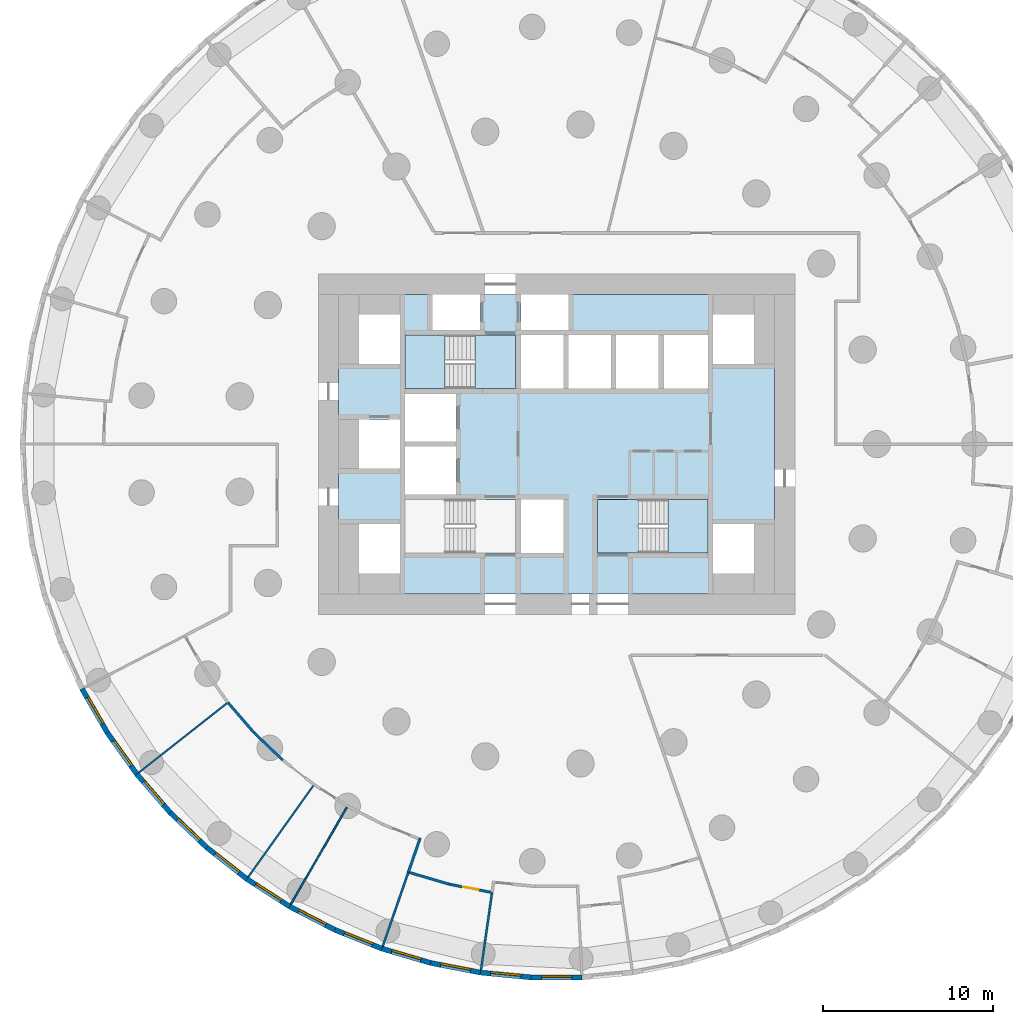
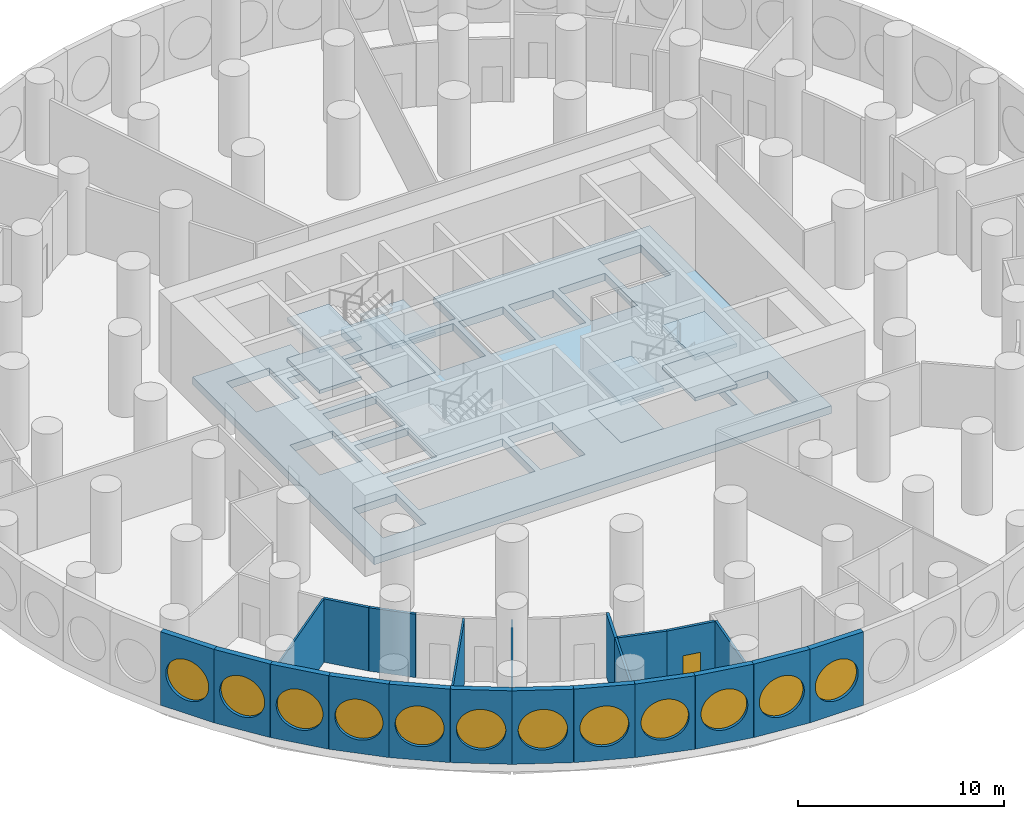
# One storey, part 2 of 12: 22 walls, 12 windows, 9 slabs, 1 door, 13 openings, 2 elements without a shape of their own.
"""IFC4 building model written with IfcOpenShell, lengths in metres."""

from ifc_helpers import new_model, si_unit, direction, frame, frame_2d, origin, origin_2d, place, context, subcontext, project, spatial, polyline, rectangle, circle, outline, extrude, material, layer, layer_set, type_object, element, fill, aggregate, save


model = new_model("IFC4")

# Units and contexts
model_context = context("Model", 3, precision=1e-05, world=origin(), true_north=direction((0.0, 1.0)))
body_context = subcontext(model_context, "Body", "Model", "MODEL_VIEW")
ifc_project = project(units=[si_unit("LENGTHUNIT", "METRE"), si_unit("AREAUNIT", "SQUARE_METRE"), si_unit("VOLUMEUNIT", "CUBIC_METRE"), si_unit("PLANEANGLEUNIT", "RADIAN"), si_unit("MASSUNIT", "GRAM", prefix="KILO")], contexts=[model_context])

# Site, building, storey
site_placement = place(None, origin())
site = spatial("IfcSite", under=ifc_project, at=site_placement, CompositionType="ELEMENT")
building_placement = place(site_placement, origin())
building = spatial("IfcBuilding", under=site, at=building_placement, Name="Tracery Tower", CompositionType="ELEMENT")
storey_placement = place(building_placement, frame((0.0, 0.0, 13.800048828125)))
storey = spatial("IfcBuildingStorey", under=building, at=storey_placement, Name="L02", CompositionType="ELEMENT", Elevation=13.800048828125)

# Slabs
ifc_material_1 = material(Name="Concrete C60/75", Category="concrete")
ifc_layer_1 = layer(ifc_material_1, 0.449951171875)
ifc_layer_set_1 = layer_set([ifc_layer_1], Name="Core floor slab 450 C60")
slab_type_1 = type_object("IfcSlabType", Name="Core floor slab 450 C60", PredefinedType="FLOOR", material=ifc_layer_set_1)
slab_1_placement = place(storey_placement, frame((0.0, 0.0, -0.449951171875)))
element("IfcSlab", 1, at=slab_1_placement, inside=storey, type_object=slab_type_1, Name="L02 core floor 1", PredefinedType="FLOOR", context=body_context, shape_type="SweptSolid", body=[
    extrude(outline(polyline([(-12.800048828125, 8.800048828125), (-7.300048828125, 8.800048828125), (-7.300048828125, 6.699951171875), (-4.5, 6.699951171875), (-4.5, 8.800048828125), (-2.10009765625, 8.800048828125), (-2.10009765625, 6.699951171875), (0.699951171875, 6.699951171875), (0.699951171875, 8.800048828125), (12.800048828125, 8.800048828125), (12.800048828125, -8.800048828125), (-12.800048828125, -8.800048828125), (-12.800048828125, 8.800048828125)]), holes=[polyline([(11.60009765625, -7.60009765625), (11.60009765625, -4.699951171875), (9.199951171875, -4.699951171875), (9.199951171875, -7.60009765625), (11.60009765625, -7.60009765625)]), polyline([(11.60009765625, 4.699951171875), (11.60009765625, 7.60009765625), (9.199951171875, 7.60009765625), (9.199951171875, 4.699951171875), (11.60009765625, 4.699951171875)]), polyline([(2.39990234375, -6.39990234375), (8.89990234375, -6.39990234375), (8.89990234375, -3.25), (2.39990234375, -3.25), (2.39990234375, -6.39990234375)]), polyline([(6.300048828125, 3.25), (8.89990234375, 3.25), (8.89990234375, 6.39990234375), (6.300048828125, 6.39990234375), (6.300048828125, 3.25)]), polyline([(3.5, 3.25), (6.0, 3.25), (6.0, 6.39990234375), (3.5, 6.39990234375), (3.5, 3.25)]), polyline([(3.199951171875, 3.25), (3.199951171875, 6.39990234375), (0.699951171875, 6.39990234375), (0.699951171875, 3.25), (3.199951171875, 3.25)]), polyline([(-2.10009765625, 3.25), (0.39990234375, 3.25), (0.39990234375, 6.39990234375), (-2.10009765625, 6.39990234375), (-2.10009765625, 3.25)]), polyline([(0.39990234375, -6.39990234375), (0.39990234375, -3.25), (-2.10009765625, -3.25), (-2.10009765625, -6.39990234375), (0.39990234375, -6.39990234375)]), polyline([(-2.39990234375, -6.39990234375), (-2.39990234375, -3.25), (-8.89990234375, -3.25), (-8.89990234375, -6.39990234375), (-2.39990234375, -6.39990234375)]), polyline([(-2.39990234375, 3.25), (-2.39990234375, 6.39990234375), (-8.89990234375, 6.39990234375), (-8.89990234375, 3.25), (-2.39990234375, 3.25)]), polyline([(-8.89990234375, -2.949951171875), (-5.89990234375, -2.949951171875), (-5.89990234375, -0.14990234375), (-8.89990234375, -0.14990234375), (-8.89990234375, -2.949951171875)]), polyline([(-5.89990234375, 0.14990234375), (-5.89990234375, 2.949951171875), (-8.89990234375, 2.949951171875), (-8.89990234375, 0.14990234375), (-5.89990234375, 0.14990234375)]), polyline([(-11.60009765625, 4.699951171875), (-9.199951171875, 4.699951171875), (-9.199951171875, 7.60009765625), (-11.60009765625, 7.60009765625), (-11.60009765625, 4.699951171875)]), polyline([(-9.199951171875, -7.60009765625), (-9.199951171875, -4.699951171875), (-11.60009765625, -4.699951171875), (-11.60009765625, -7.60009765625), (-9.199951171875, -7.60009765625)]), polyline([(-9.199951171875, -1.449951171875), (-9.199951171875, 1.449951171875), (-11.60009765625, 1.449951171875), (-11.60009765625, -1.449951171875), (-9.199951171875, -1.449951171875)])]), origin(), (0.0, 0.0, 1.0), 0.449951171875),
])
ifc_material_2 = material(Name="Concrete C32/40", Category="concrete")
ifc_layer_2 = layer(ifc_material_2, 0.199951171875)
ifc_layer_set_2 = layer_set([ifc_layer_2], Name="Stair landing slab 200")
slab_type_2 = type_object("IfcSlabType", Name="Stair landing slab 200", PredefinedType="LANDING", material=ifc_layer_set_2)
slab_2_placement = place(storey_placement, frame((0.0, 0.0, -0.199951171875)))
element("IfcSlab", 2, at=slab_2_placement, inside=storey, type_object=slab_type_2, Name="L02 stair ST3 floor landing", PredefinedType="LANDING", context=body_context, shape_type="SweptSolid", body=[
    extrude(outline(polyline([(-2.39990234375, 6.39990234375), (-4.800537109375, 6.39990234375), (-4.800537109375, 3.25), (-2.39990234375, 3.25), (-2.39990234375, 6.39990234375)])), origin(), (0.0, 0.0, 1.0), 0.199951171875),
])
slab_3_placement = place(storey_placement, frame((0.0, 0.0, -0.199951171875)))
element("IfcSlab", 3, at=slab_3_placement, inside=storey, type_object=slab_type_2, Name="L02 stair ST2 floor landing", PredefinedType="LANDING", context=body_context, shape_type="SweptSolid", body=[
    extrude(outline(polyline([(2.39990234375, -6.39990234375), (4.800537109375, -6.39990234375), (4.800537109375, -3.25), (2.39990234375, -3.25), (2.39990234375, -6.39990234375)])), origin(), (0.0, 0.0, 1.0), 0.199951171875),
])

# Stair, slabs
ifc_material_3 = material(Name="Concrete C32/40", Category="concrete")
stair_type = type_object("IfcStairType", Name="Core stair 32 risers", PredefinedType="HALF_TURN_STAIR", material=ifc_material_3)
stair_1_placement = place(storey_placement, origin())
stair_1 = element("IfcStair", 4, at=stair_1_placement, inside=storey, type_object=stair_type, Name="L02 stair ST3", PredefinedType="HALF_TURN_STAIR")
slab_4_placement = place(storey_placement, frame((0.0, 0.0, 1.0)))
slab_4 = element("IfcSlab", 5, at=slab_4_placement, type_object=slab_type_2, Name="ST3 landing 1", PredefinedType="LANDING", context=body_context, shape_type="SweptSolid", body=[
    extrude(outline(polyline([(-6.54931640625, 6.39990234375), (-8.89990234375, 6.39990234375), (-8.89990234375, 3.25), (-6.54931640625, 3.25), (-6.54931640625, 6.39990234375)])), origin(), (0.0, 0.0, 1.0), 0.199951171875),
])
slab_5_placement = place(storey_placement, frame((0.0, 0.0, 2.199951171875)))
slab_5 = element("IfcSlab", 6, at=slab_5_placement, type_object=slab_type_2, Name="ST3 landing 2", PredefinedType="LANDING", context=body_context, shape_type="SweptSolid", body=[
    extrude(outline(polyline([(-2.39990234375, 6.39990234375), (-4.800537109375, 6.39990234375), (-4.800537109375, 3.25), (-2.39990234375, 3.25), (-2.39990234375, 6.39990234375)])), origin(), (0.0, 0.0, 1.0), 0.199951171875),
])
slab_6_placement = place(storey_placement, frame((0.0, 0.0, 3.39990234375)))
slab_6 = element("IfcSlab", 7, at=slab_6_placement, type_object=slab_type_2, Name="ST3 landing 3", PredefinedType="LANDING", context=body_context, shape_type="SweptSolid", body=[
    extrude(outline(polyline([(-6.54931640625, 6.39990234375), (-8.89990234375, 6.39990234375), (-8.89990234375, 3.25), (-6.54931640625, 3.25), (-6.54931640625, 6.39990234375)])), origin(), (0.0, 0.0, 1.0), 0.199951171875),
])
aggregate(stair_1, [slab_4, slab_5, slab_6])

stair_2_placement = place(storey_placement, origin())
stair_2 = element("IfcStair", 8, at=stair_2_placement, inside=storey, type_object=stair_type, Name="L02 stair ST2", PredefinedType="HALF_TURN_STAIR")
slab_7_placement = place(storey_placement, frame((0.0, 0.0, 1.0)))
slab_7 = element("IfcSlab", 9, at=slab_7_placement, type_object=slab_type_2, Name="ST2 landing 1", PredefinedType="LANDING", context=body_context, shape_type="SweptSolid", body=[
    extrude(outline(polyline([(6.54931640625, -6.39990234375), (8.89990234375, -6.39990234375), (8.89990234375, -3.25), (6.54931640625, -3.25), (6.54931640625, -6.39990234375)])), origin(), (0.0, 0.0, 1.0), 0.199951171875),
])
slab_8_placement = place(storey_placement, frame((0.0, 0.0, 2.199951171875)))
slab_8 = element("IfcSlab", 10, at=slab_8_placement, type_object=slab_type_2, Name="ST2 landing 2", PredefinedType="LANDING", context=body_context, shape_type="SweptSolid", body=[
    extrude(outline(polyline([(2.39990234375, -6.39990234375), (4.800537109375, -6.39990234375), (4.800537109375, -3.25), (2.39990234375, -3.25), (2.39990234375, -6.39990234375)])), origin(), (0.0, 0.0, 1.0), 0.199951171875),
])
slab_9_placement = place(storey_placement, frame((0.0, 0.0, 3.39990234375)))
slab_9 = element("IfcSlab", 11, at=slab_9_placement, type_object=slab_type_2, Name="ST2 landing 3", PredefinedType="LANDING", context=body_context, shape_type="SweptSolid", body=[
    extrude(outline(polyline([(6.54931640625, -6.39990234375), (8.89990234375, -6.39990234375), (8.89990234375, -3.25), (6.54931640625, -3.25), (6.54931640625, -6.39990234375)])), origin(), (0.0, 0.0, 1.0), 0.199951171875),
])
aggregate(stair_2, [slab_7, slab_8, slab_9])

# Walls
ifc_material_4 = material(Name="Plasterboard on steel studs", Category="steel")
ifc_layer_3 = layer(ifc_material_4, 0.14990234375)
ifc_layer_set_3 = layer_set([ifc_layer_3], Name="Corridor partition 150")
wall_type_1 = type_object("IfcWallType", Name="Corridor partition 150", PredefinedType="PARTITIONING", material=ifc_layer_set_3)
for number, where, z_axis, x_axis, name in (
    (12, (-19.310791015625, -15.18603515625, 0.0), (0.0, 0.0, 1.0), (0.654866925236, -0.755744209526, 0.0), "Corridor partition 150"),
    (13, (-17.77978515625, -16.952880859375, 0.0), (0.0, 0.0, 1.0), (0.723668407542, -0.690147836283, 0.0), "Corridor partition 150"),
):
    element("IfcWall", number, at=place(storey_placement, frame(where, z_axis=z_axis, x_axis=x_axis)), inside=storey, type_object=wall_type_1, Name=name, PredefinedType="PARTITIONING", context=body_context, shape_type="SweptSolid", body=[
        extrude(rectangle(XDim=2.337890625, YDim=0.14990234375, at=frame_2d((1.1689453125, 0.0))), origin(), (0.0, 0.0, 1.0), 3.75),
    ])
wall_1_placement = place(storey_placement, frame((-8.706298828125, -25.155029296875, 0.0), z_axis=(0.0, 0.0, 1.0), x_axis=(0.327086912916, 0.944994259982, 0.0)))
element("IfcWall", 14, at=wall_1_placement, inside=storey, type_object=wall_type_1, Name="Corridor partition 150", PredefinedType="PARTITIONING", context=body_context, shape_type="SweptSolid", body=[
    extrude(rectangle(XDim=2.127197265625, YDim=0.14990234375, at=frame_2d((1.0634765625, 0.0))), origin(), (0.0, 0.0, 1.0), 3.75),
])
wall_2_placement = place(storey_placement, frame((-8.63427734375, -25.17626953125, 0.0), z_axis=(0.0, 0.0, 1.0), x_axis=(0.959512450636, -0.281666215713, 0.0)))
element("IfcWall", 15, at=wall_2_placement, inside=storey, type_object=wall_type_1, Name="Corridor partition 150", PredefinedType="PARTITIONING", context=body_context, shape_type="SweptSolid", body=[
    extrude(rectangle(XDim=2.458251953125, YDim=0.14990234375, at=frame_2d((1.22900390625, 0.0))), origin(), (0.0, 0.0, 1.0), 3.75),
])

# Wall, opening, door
wall_3_placement = place(storey_placement, frame((-3.862060546875, -26.333984375, 0.0), z_axis=(0.0, 0.0, 1.0), x_axis=(-0.981917073198, 0.189311545773, 0.0)))
wall_3 = element("IfcWall", 16, at=wall_3_placement, inside=storey, type_object=wall_type_1, Name="Corridor partition 150", PredefinedType="PARTITIONING", context=body_context, shape_type="SweptSolid", body=[
    extrude(rectangle(XDim=2.4580078125, YDim=0.14990234375, at=frame_2d((1.22900390625, 0.0))), origin(), (0.0, 0.0, 1.0), 3.75),
])
opening_1_placement = place(wall_3_placement, frame((0.741455078125, 0.0, 0.0)))
opening_1 = element("IfcOpeningElement", 17, at=opening_1_placement, cuts=wall_3, Name="Opening SB-L02-26", PredefinedType="OPENING", context=body_context, shape_type="SweptSolid", body=[
    extrude(rectangle(XDim=0.89990234375, YDim=2.10009765625, at=frame_2d((0.449951171875, 1.050048828125))), frame((0.0, 0.074951171875, 0.0), z_axis=(0.0, -1.0, 0.0), x_axis=(1.0, 0.0, 0.0)), (0.0, 0.0, 1.0), 0.14990234375),
])
ifc_material_5 = material(Name="Timber door leaf", Category="wood")
door_type = type_object("IfcDoorType", Name="Toilet door 900", OperationType="NOTDEFINED", PredefinedType="DOOR", material=ifc_material_5)
door_placement = place(opening_1_placement, origin())
door = element("IfcDoor", 18, at=door_placement, inside=storey, type_object=door_type, Name="Toilet door 900", OperationType="SINGLE_SWING_RIGHT", OverallHeight=2.10009765625, OverallWidth=0.89990234375, PredefinedType="DOOR", context=body_context, shape_type="SweptSolid", body=[
    extrude(rectangle(XDim=0.89990234375, YDim=2.10009765625, at=frame_2d((0.449951171875, 1.050048828125))), frame((0.0, 0.02490234375, 0.0), z_axis=(0.0, -1.0, 0.0), x_axis=(1.0, 0.0, 0.0)), (0.0, 0.0, 1.0), 0.050048828125),
])
fill(opening_1, door)

# Wall, opening, window
ifc_material_6 = material(Name="Precast concrete C50/60", Category="concrete")
ifc_layer_4 = layer(ifc_material_6, 0.300048828125)
ifc_layer_set_4 = layer_set([ifc_layer_4], Name="Facade panel 3000 x 4350")
wall_type_2 = type_object("IfcWallType", Name="Facade panel 3000 x 4350", PredefinedType="SOLIDWALL", material=ifc_layer_set_4)
wall_4_placement = place(storey_placement, frame((-27.88671875, -14.376708984375, 0.0), z_axis=(0.0, 0.0, 1.0), x_axis=(0.500017373705, -0.866015372839, 0.0)))
wall_4 = element("IfcWall", 19, at=wall_4_placement, inside=storey, type_object=wall_type_2, Name="Facade panel 39 at L02", PredefinedType="SOLIDWALL", context=body_context, shape_type="SweptSolid", body=[
    extrude(rectangle(XDim=2.98583984375, YDim=0.300048828125, at=frame_2d((1.492919921875, 0.0))), origin(), (0.0, 0.0, 1.0), 4.349853515625),
])
opening_2_placement = place(wall_4_placement, frame((1.492919921875, 0.0, 2.0)))
opening_2 = element("IfcOpeningElement", 20, at=opening_2_placement, cuts=wall_4, Name="Opening WN2", PredefinedType="OPENING", context=body_context, shape_type="SweptSolid", body=[
    extrude(circle(Radius=1.199951171875, at=origin_2d()), frame((0.0, 0.159912109375, 0.0), z_axis=(0.0, -1.0, 0.0), x_axis=(1.0, 0.0, 0.0)), (0.0, 0.0, 1.0), 0.320068359375),
])
ifc_material_7 = material(Name="Aluminium frame with tinted double glazing", Category="aluminium")
window_type = type_object("IfcWindowType", Name="Round window 2400", PartitioningType="SINGLE_PANEL", PredefinedType="WINDOW", material=ifc_material_7)
window_1_placement = place(opening_2_placement, origin())
window_1 = element("IfcWindow", 21, at=window_1_placement, inside=storey, type_object=window_type, Name="Round window 39 at L02", OverallHeight=2.39990234375, OverallWidth=2.39990234375, PartitioningType="SINGLE_PANEL", PredefinedType="WINDOW", context=body_context, shape_type="SweptSolid", body=[
    extrude(circle(Radius=1.199951171875, at=origin_2d()), frame((0.0, 0.1201171875, 0.0), z_axis=(0.0, -1.0, 0.0), x_axis=(1.0, 0.0, 0.0)), (0.0, 0.0, 1.0), 0.10009765625),
])
fill(opening_2, window_1)

wall_5_placement = place(storey_placement, frame((-26.393798828125, -16.96240234375, 0.0), z_axis=(0.0, 0.0, 1.0), x_axis=(0.580100533892, -0.814544885551, 0.0)))
wall_5 = element("IfcWall", 22, at=wall_5_placement, inside=storey, type_object=wall_type_2, Name="Facade panel 40 at L02", PredefinedType="SOLIDWALL", context=body_context, shape_type="SweptSolid", body=[
    extrude(rectangle(XDim=2.985595703125, YDim=0.300048828125, at=frame_2d((1.49267578125, 0.0))), origin(), (0.0, 0.0, 1.0), 4.349853515625),
])
opening_3_placement = place(wall_5_placement, frame((1.492919921875, 0.0, 2.0)))
opening_3 = element("IfcOpeningElement", 23, at=opening_3_placement, cuts=wall_5, Name="Opening WN2", PredefinedType="OPENING", context=body_context, shape_type="SweptSolid", body=[
    extrude(circle(Radius=1.199951171875, at=origin_2d()), frame((0.0, 0.159912109375, 0.0), z_axis=(0.0, -1.0, 0.0), x_axis=(1.0, 0.0, 0.0)), (0.0, 0.0, 1.0), 0.320068359375),
])
window_2_placement = place(opening_3_placement, origin())
window_2 = element("IfcWindow", 24, at=window_2_placement, inside=storey, type_object=window_type, Name="Round window 40 at L02", OverallHeight=2.39990234375, OverallWidth=2.39990234375, PartitioningType="SINGLE_PANEL", PredefinedType="WINDOW", context=body_context, shape_type="SweptSolid", body=[
    extrude(circle(Radius=1.199951171875, at=origin_2d()), frame((0.0, 0.1201171875, 0.0), z_axis=(0.0, -1.0, 0.0), x_axis=(1.0, 0.0, 0.0)), (0.0, 0.0, 1.0), 0.10009765625),
])
fill(opening_3, window_2)

wall_6_placement = place(storey_placement, frame((-24.661865234375, -19.394287109375, 0.0), z_axis=(0.0, 0.0, 1.0), x_axis=(0.654809121128, -0.755794294029, 0.0)))
wall_6 = element("IfcWall", 25, at=wall_6_placement, inside=storey, type_object=wall_type_2, Name="Facade panel 41 at L02", PredefinedType="SOLIDWALL", context=body_context, shape_type="SweptSolid", body=[
    extrude(rectangle(XDim=2.98583984375, YDim=0.300048828125, at=frame_2d((1.492919921875, 0.0))), origin(), (0.0, 0.0, 1.0), 4.349853515625),
])
opening_4_placement = place(wall_6_placement, frame((1.492919921875, 0.0, 2.0)))
opening_4 = element("IfcOpeningElement", 26, at=opening_4_placement, cuts=wall_6, Name="Opening WN2", PredefinedType="OPENING", context=body_context, shape_type="SweptSolid", body=[
    extrude(circle(Radius=1.199951171875, at=origin_2d()), frame((0.0, 0.159912109375, 0.0), z_axis=(0.0, -1.0, 0.0), x_axis=(1.0, 0.0, 0.0)), (0.0, 0.0, 1.0), 0.320068359375),
])
window_3_placement = place(opening_4_placement, origin())
window_3 = element("IfcWindow", 27, at=window_3_placement, inside=storey, type_object=window_type, Name="Round window 41 at L02", OverallHeight=2.39990234375, OverallWidth=2.39990234375, PartitioningType="SINGLE_PANEL", PredefinedType="WINDOW", context=body_context, shape_type="SweptSolid", body=[
    extrude(circle(Radius=1.199951171875, at=origin_2d()), frame((0.0, 0.1201171875, 0.0), z_axis=(0.0, -1.0, 0.0), x_axis=(1.0, 0.0, 0.0)), (0.0, 0.0, 1.0), 0.10009765625),
])
fill(opening_4, window_3)

wall_7_placement = place(storey_placement, frame((-22.706787109375, -21.65087890625, 0.0), z_axis=(0.0, 0.0, 1.0), x_axis=(0.723750841228, -0.690061388444, 0.0)))
wall_7 = element("IfcWall", 28, at=wall_7_placement, inside=storey, type_object=wall_type_2, Name="Facade panel 42 at L02", PredefinedType="SOLIDWALL", context=body_context, shape_type="SweptSolid", body=[
    extrude(rectangle(XDim=2.985595703125, YDim=0.300048828125, at=frame_2d((1.49267578125, 0.0))), origin(), (0.0, 0.0, 1.0), 4.349853515625),
])
opening_5_placement = place(wall_7_placement, frame((1.492919921875, 0.0, 2.0)))
opening_5 = element("IfcOpeningElement", 29, at=opening_5_placement, cuts=wall_7, Name="Opening WN2", PredefinedType="OPENING", context=body_context, shape_type="SweptSolid", body=[
    extrude(circle(Radius=1.199951171875, at=origin_2d()), frame((0.0, 0.159912109375, 0.0), z_axis=(0.0, -1.0, 0.0), x_axis=(1.0, 0.0, 0.0)), (0.0, 0.0, 1.0), 0.320068359375),
])
window_4_placement = place(opening_5_placement, origin())
window_4 = element("IfcWindow", 30, at=window_4_placement, inside=storey, type_object=window_type, Name="Round window 42 at L02", OverallHeight=2.39990234375, OverallWidth=2.39990234375, PartitioningType="SINGLE_PANEL", PredefinedType="WINDOW", context=body_context, shape_type="SweptSolid", body=[
    extrude(circle(Radius=1.199951171875, at=origin_2d()), frame((0.0, 0.1201171875, 0.0), z_axis=(0.0, -1.0, 0.0), x_axis=(1.0, 0.0, 0.0)), (0.0, 0.0, 1.0), 0.10009765625),
])
fill(opening_5, window_4)

wall_8_placement = place(storey_placement, frame((-20.5458984375, -23.711181640625, 0.0), z_axis=(0.0, 0.0, 1.0), x_axis=(0.786043032847, -0.618171780747, 0.0)))
wall_8 = element("IfcWall", 31, at=wall_8_placement, inside=storey, type_object=wall_type_2, Name="Facade panel 43 at L02", PredefinedType="SOLIDWALL", context=body_context, shape_type="SweptSolid", body=[
    extrude(rectangle(XDim=2.98583984375, YDim=0.300048828125, at=frame_2d((1.492919921875, 0.0))), origin(), (0.0, 0.0, 1.0), 4.349853515625),
])
opening_6_placement = place(wall_8_placement, frame((1.492919921875, 0.0, 2.0)))
opening_6 = element("IfcOpeningElement", 32, at=opening_6_placement, cuts=wall_8, Name="Opening WN2", PredefinedType="OPENING", context=body_context, shape_type="SweptSolid", body=[
    extrude(circle(Radius=1.199951171875, at=origin_2d()), frame((0.0, 0.159912109375, 0.0), z_axis=(0.0, -1.0, 0.0), x_axis=(1.0, 0.0, 0.0)), (0.0, 0.0, 1.0), 0.320068359375),
])
window_5_placement = place(opening_6_placement, origin())
window_5 = element("IfcWindow", 33, at=window_5_placement, inside=storey, type_object=window_type, Name="Round window 43 at L02", OverallHeight=2.39990234375, OverallWidth=2.39990234375, PartitioningType="SINGLE_PANEL", PredefinedType="WINDOW", context=body_context, shape_type="SweptSolid", body=[
    extrude(circle(Radius=1.199951171875, at=origin_2d()), frame((0.0, 0.1201171875, 0.0), z_axis=(0.0, -1.0, 0.0), x_axis=(1.0, 0.0, 0.0)), (0.0, 0.0, 1.0), 0.10009765625),
])
fill(opening_6, window_5)

wall_9_placement = place(storey_placement, frame((-18.198974609375, -25.556884765625, 0.0), z_axis=(0.0, 0.0, 1.0), x_axis=(0.841242231846, -0.540658401727, 0.0)))
wall_9 = element("IfcWall", 34, at=wall_9_placement, inside=storey, type_object=wall_type_2, Name="Facade panel 44 at L02", PredefinedType="SOLIDWALL", context=body_context, shape_type="SweptSolid", body=[
    extrude(rectangle(XDim=2.98583984375, YDim=0.300048828125, at=frame_2d((1.492919921875, 0.0))), origin(), (0.0, 0.0, 1.0), 4.349853515625),
])
opening_7_placement = place(wall_9_placement, frame((1.492919921875, 0.0, 2.0)))
opening_7 = element("IfcOpeningElement", 35, at=opening_7_placement, cuts=wall_9, Name="Opening WN2", PredefinedType="OPENING", context=body_context, shape_type="SweptSolid", body=[
    extrude(circle(Radius=1.199951171875, at=origin_2d()), frame((0.0, 0.159912109375, 0.0), z_axis=(0.0, -1.0, 0.0), x_axis=(1.0, 0.0, 0.0)), (0.0, 0.0, 1.0), 0.320068359375),
])
window_6_placement = place(opening_7_placement, origin())
window_6 = element("IfcWindow", 36, at=window_6_placement, inside=storey, type_object=window_type, Name="Round window 44 at L02", OverallHeight=2.39990234375, OverallWidth=2.39990234375, PartitioningType="SINGLE_PANEL", PredefinedType="WINDOW", context=body_context, shape_type="SweptSolid", body=[
    extrude(circle(Radius=1.199951171875, at=origin_2d()), frame((0.0, 0.1201171875, 0.0), z_axis=(0.0, -1.0, 0.0), x_axis=(1.0, 0.0, 0.0)), (0.0, 0.0, 1.0), 0.10009765625),
])
fill(opening_7, window_6)

wall_10_placement = place(storey_placement, frame((-15.687255859375, -27.171142578125, 0.0), z_axis=(0.0, 0.0, 1.0), x_axis=(0.888831268481, -0.458234630043, 0.0)))
wall_10 = element("IfcWall", 37, at=wall_10_placement, inside=storey, type_object=wall_type_2, Name="Facade panel 45 at L02", PredefinedType="SOLIDWALL", context=body_context, shape_type="SweptSolid", body=[
    extrude(rectangle(XDim=2.98583984375, YDim=0.300048828125, at=frame_2d((1.492919921875, 0.0))), origin(), (0.0, 0.0, 1.0), 4.349853515625),
])
opening_8_placement = place(wall_10_placement, frame((1.492919921875, 0.0, 2.0)))
opening_8 = element("IfcOpeningElement", 38, at=opening_8_placement, cuts=wall_10, Name="Opening WN2", PredefinedType="OPENING", context=body_context, shape_type="SweptSolid", body=[
    extrude(circle(Radius=1.199951171875, at=origin_2d()), frame((0.0, 0.159912109375, 0.0), z_axis=(0.0, -1.0, 0.0), x_axis=(1.0, 0.0, 0.0)), (0.0, 0.0, 1.0), 0.320068359375),
])
window_7_placement = place(opening_8_placement, origin())
window_7 = element("IfcWindow", 39, at=window_7_placement, inside=storey, type_object=window_type, Name="Round window 45 at L02", OverallHeight=2.39990234375, OverallWidth=2.39990234375, PartitioningType="SINGLE_PANEL", PredefinedType="WINDOW", context=body_context, shape_type="SweptSolid", body=[
    extrude(circle(Radius=1.199951171875, at=origin_2d()), frame((0.0, 0.1201171875, 0.0), z_axis=(0.0, -1.0, 0.0), x_axis=(1.0, 0.0, 0.0)), (0.0, 0.0, 1.0), 0.10009765625),
])
fill(opening_8, window_7)

wall_11_placement = place(storey_placement, frame((-13.033447265625, -28.539306640625, 0.0), z_axis=(0.0, 0.0, 1.0), x_axis=(0.928380795373, -0.371630325434, 0.0)))
wall_11 = element("IfcWall", 40, at=wall_11_placement, inside=storey, type_object=wall_type_2, Name="Facade panel 46 at L02", PredefinedType="SOLIDWALL", context=body_context, shape_type="SweptSolid", body=[
    extrude(rectangle(XDim=2.98583984375, YDim=0.300048828125, at=frame_2d((1.492919921875, 0.0))), origin(), (0.0, 0.0, 1.0), 4.349853515625),
])
opening_9_placement = place(wall_11_placement, frame((1.492919921875, 0.0, 2.0)))
opening_9 = element("IfcOpeningElement", 41, at=opening_9_placement, cuts=wall_11, Name="Opening WN2", PredefinedType="OPENING", context=body_context, shape_type="SweptSolid", body=[
    extrude(circle(Radius=1.199951171875, at=origin_2d()), frame((0.0, 0.159912109375, 0.0), z_axis=(0.0, -1.0, 0.0), x_axis=(1.0, 0.0, 0.0)), (0.0, 0.0, 1.0), 0.320068359375),
])
window_8_placement = place(opening_9_placement, origin())
window_8 = element("IfcWindow", 42, at=window_8_placement, inside=storey, type_object=window_type, Name="Round window 46 at L02", OverallHeight=2.39990234375, OverallWidth=2.39990234375, PartitioningType="SINGLE_PANEL", PredefinedType="WINDOW", context=body_context, shape_type="SweptSolid", body=[
    extrude(circle(Radius=1.199951171875, at=origin_2d()), frame((0.0, 0.1201171875, 0.0), z_axis=(0.0, -1.0, 0.0), x_axis=(1.0, 0.0, 0.0)), (0.0, 0.0, 1.0), 0.10009765625),
])
fill(opening_9, window_8)

wall_12_placement = place(storey_placement, frame((-10.261474609375, -29.64892578125, 0.0), z_axis=(0.0, 0.0, 1.0), x_axis=(0.959502108153, -0.281701445593, 0.0)))
wall_12 = element("IfcWall", 43, at=wall_12_placement, inside=storey, type_object=wall_type_2, Name="Facade panel 47 at L02", PredefinedType="SOLIDWALL", context=body_context, shape_type="SweptSolid", body=[
    extrude(rectangle(XDim=2.985595703125, YDim=0.300048828125, at=frame_2d((1.49267578125, 0.0))), origin(), (0.0, 0.0, 1.0), 4.349853515625),
])
opening_10_placement = place(wall_12_placement, frame((1.492919921875, 0.0, 2.0)))
opening_10 = element("IfcOpeningElement", 44, at=opening_10_placement, cuts=wall_12, Name="Opening WN2", PredefinedType="OPENING", context=body_context, shape_type="SweptSolid", body=[
    extrude(circle(Radius=1.199951171875, at=origin_2d()), frame((0.0, 0.159912109375, 0.0), z_axis=(0.0, -1.0, 0.0), x_axis=(1.0, 0.0, 0.0)), (0.0, 0.0, 1.0), 0.320068359375),
])
window_9_placement = place(opening_10_placement, origin())
window_9 = element("IfcWindow", 45, at=window_9_placement, inside=storey, type_object=window_type, Name="Round window 47 at L02", OverallHeight=2.39990234375, OverallWidth=2.39990234375, PartitioningType="SINGLE_PANEL", PredefinedType="WINDOW", context=body_context, shape_type="SweptSolid", body=[
    extrude(circle(Radius=1.199951171875, at=origin_2d()), frame((0.0, 0.1201171875, 0.0), z_axis=(0.0, -1.0, 0.0), x_axis=(1.0, 0.0, 0.0)), (0.0, 0.0, 1.0), 0.10009765625),
])
fill(opening_10, window_9)

wall_13_placement = place(storey_placement, frame((-7.396728515625, -30.489990234375, 0.0), z_axis=(0.0, 0.0, 1.0), x_axis=(0.981918853666, -0.189302310646, 0.0)))
wall_13 = element("IfcWall", 46, at=wall_13_placement, inside=storey, type_object=wall_type_2, Name="Facade panel 48 at L02", PredefinedType="SOLIDWALL", context=body_context, shape_type="SweptSolid", body=[
    extrude(rectangle(XDim=2.985595703125, YDim=0.300048828125, at=frame_2d((1.49267578125, 0.0))), origin(), (0.0, 0.0, 1.0), 4.349853515625),
])
opening_11_placement = place(wall_13_placement, frame((1.492919921875, 0.0, 2.0)))
opening_11 = element("IfcOpeningElement", 47, at=opening_11_placement, cuts=wall_13, Name="Opening WN2", PredefinedType="OPENING", context=body_context, shape_type="SweptSolid", body=[
    extrude(circle(Radius=1.199951171875, at=origin_2d()), frame((0.0, 0.159912109375, 0.0), z_axis=(0.0, -1.0, 0.0), x_axis=(1.0, 0.0, 0.0)), (0.0, 0.0, 1.0), 0.320068359375),
])
window_10_placement = place(opening_11_placement, origin())
window_10 = element("IfcWindow", 48, at=window_10_placement, inside=storey, type_object=window_type, Name="Round window 48 at L02", OverallHeight=2.39990234375, OverallWidth=2.39990234375, PartitioningType="SINGLE_PANEL", PredefinedType="WINDOW", context=body_context, shape_type="SweptSolid", body=[
    extrude(circle(Radius=1.199951171875, at=origin_2d()), frame((0.0, 0.1201171875, 0.0), z_axis=(0.0, -1.0, 0.0), x_axis=(1.0, 0.0, 0.0)), (0.0, 0.0, 1.0), 0.10009765625),
])
fill(opening_11, window_10)

wall_14_placement = place(storey_placement, frame((-4.465087890625, -31.05517578125, 0.0), z_axis=(0.0, 0.0, 1.0), x_axis=(0.99547560533, -0.095017467833, 0.0)))
wall_14 = element("IfcWall", 49, at=wall_14_placement, inside=storey, type_object=wall_type_2, Name="Facade panel 49 at L02", PredefinedType="SOLIDWALL", context=body_context, shape_type="SweptSolid", body=[
    extrude(rectangle(XDim=2.985595703125, YDim=0.300048828125, at=frame_2d((1.49267578125, 0.0))), origin(), (0.0, 0.0, 1.0), 4.349853515625),
])
opening_12_placement = place(wall_14_placement, frame((1.492919921875, 0.0, 2.0)))
opening_12 = element("IfcOpeningElement", 50, at=opening_12_placement, cuts=wall_14, Name="Opening WN2", PredefinedType="OPENING", context=body_context, shape_type="SweptSolid", body=[
    extrude(circle(Radius=1.199951171875, at=origin_2d()), frame((0.0, 0.159912109375, 0.0), z_axis=(0.0, -1.0, 0.0), x_axis=(1.0, 0.0, 0.0)), (0.0, 0.0, 1.0), 0.320068359375),
])
window_11_placement = place(opening_12_placement, origin())
window_11 = element("IfcWindow", 51, at=window_11_placement, inside=storey, type_object=window_type, Name="Round window 49 at L02", OverallHeight=2.39990234375, OverallWidth=2.39990234375, PartitioningType="SINGLE_PANEL", PredefinedType="WINDOW", context=body_context, shape_type="SweptSolid", body=[
    extrude(circle(Radius=1.199951171875, at=origin_2d()), frame((0.0, 0.1201171875, 0.0), z_axis=(0.0, -1.0, 0.0), x_axis=(1.0, 0.0, 0.0)), (0.0, 0.0, 1.0), 0.10009765625),
])
fill(opening_12, window_11)

wall_15_placement = place(storey_placement, frame((-1.492919921875, -31.3388671875, 0.0), z_axis=(0.0, 0.0, 1.0), x_axis=(1.0, 0.0, 0.0)))
wall_15 = element("IfcWall", 52, at=wall_15_placement, inside=storey, type_object=wall_type_2, Name="Facade panel 50 at L02", PredefinedType="SOLIDWALL", context=body_context, shape_type="SweptSolid", body=[
    extrude(rectangle(XDim=2.98583984375, YDim=0.300048828125, at=frame_2d((1.492919921875, 0.0))), origin(), (0.0, 0.0, 1.0), 4.349853515625),
])
opening_13_placement = place(wall_15_placement, frame((1.492919921875, 0.0, 2.0)))
opening_13 = element("IfcOpeningElement", 53, at=opening_13_placement, cuts=wall_15, Name="Opening WN2", PredefinedType="OPENING", context=body_context, shape_type="SweptSolid", body=[
    extrude(circle(Radius=1.199951171875, at=origin_2d()), frame((0.0, 0.159912109375, 0.0), z_axis=(0.0, -1.0, 0.0), x_axis=(1.0, 0.0, 0.0)), (0.0, 0.0, 1.0), 0.320068359375),
])
window_12_placement = place(opening_13_placement, origin())
window_12 = element("IfcWindow", 54, at=window_12_placement, inside=storey, type_object=window_type, Name="Round window 50 at L02", OverallHeight=2.39990234375, OverallWidth=2.39990234375, PartitioningType="SINGLE_PANEL", PredefinedType="WINDOW", context=body_context, shape_type="SweptSolid", body=[
    extrude(circle(Radius=1.199951171875, at=origin_2d()), frame((0.0, 0.1201171875, 0.0), z_axis=(0.0, -1.0, 0.0), x_axis=(1.0, 0.0, 0.0)), (0.0, 0.0, 1.0), 0.10009765625),
])
fill(opening_13, window_12)

# Walls
ifc_material_8 = material(Name="Plasterboard on steel studs", Category="steel")
ifc_layer_5 = layer(ifc_material_8, 0.10009765625)
ifc_layer_set_5 = layer_set([ifc_layer_5], Name="Stud partition 100")
wall_type_3 = type_object("IfcWallType", Name="Stud partition 100", PredefinedType="PARTITIONING", material=ifc_layer_set_5)
wall_16_placement = place(storey_placement, frame((-24.5439453125, -19.301513671875, 0.0), z_axis=(0.0, 0.0, 1.0), x_axis=(0.786055722677, 0.618155644515, 0.0)))
element("IfcWall", 55, at=wall_16_placement, inside=storey, type_object=wall_type_3, Name="Stud partition 100", PredefinedType="PARTITIONING", context=body_context, shape_type="SweptSolid", body=[
    extrude(rectangle(XDim=6.58251953125, YDim=0.10009765625, at=frame_2d((3.291259765625, 0.0))), origin(), (0.0, 0.0, 1.0), 3.75),
])
wall_17_placement = place(storey_placement, frame((-18.11181640625, -25.4345703125, 0.0), z_axis=(0.0, 0.0, 1.0), x_axis=(0.580055201519, 0.814577168346, 0.0)))
element("IfcWall", 56, at=wall_17_placement, inside=storey, type_object=wall_type_3, Name="Stud partition 100", PredefinedType="PARTITIONING", context=body_context, shape_type="SweptSolid", body=[
    extrude(rectangle(XDim=6.582275390625, YDim=0.10009765625, at=frame_2d((3.291015625, 0.0))), origin(), (0.0, 0.0, 1.0), 3.75),
])
wall_18_placement = place(storey_placement, frame((-15.612060546875, -27.041015625, 0.0), z_axis=(0.0, 0.0, 1.0), x_axis=(0.499996417602, 0.866027472073, 0.0)))
element("IfcWall", 57, at=wall_18_placement, inside=storey, type_object=wall_type_3, Name="Stud partition 100", PredefinedType="PARTITIONING", context=body_context, shape_type="SweptSolid", body=[
    extrude(rectangle(XDim=6.58251953125, YDim=0.10009765625, at=frame_2d((3.291259765625, 0.0))), origin(), (0.0, 0.0, 1.0), 3.75),
])
ifc_material_9 = material(Name="Plasterboard on steel studs", Category="steel")
ifc_layer_6 = layer(ifc_material_9, 0.125)
ifc_layer_set_6 = layer_set([ifc_layer_6], Name="Wet area partition 125")
wall_type_4 = type_object("IfcWallType", Name="Wet area partition 125", PredefinedType="PARTITIONING", material=ifc_layer_set_6)
for number, where, z_axis, x_axis, name in (
    (58, (-10.21240234375, -29.507080078125, 0.0), (0.0, 0.0, 1.0), (0.327037731194, 0.945011281613, 0.0), "Wet area partition 125"),
    (59, (-4.443603515625, -30.906494140625, 0.0), (0.0, 0.0, 1.0), (0.142289671733, 0.989825059957, 0.0), "Wet area partition 125"),
):
    element("IfcWall", number, at=place(storey_placement, frame(where, z_axis=z_axis, x_axis=x_axis)), inside=storey, type_object=wall_type_4, Name=name, PredefinedType="PARTITIONING", context=body_context, shape_type="SweptSolid", body=[
        extrude(rectangle(XDim=4.605224609375, YDim=0.125, at=frame_2d((2.302734375, 0.0))), origin(), (0.0, 0.0, 1.0), 3.75),
    ])

save(model, "model.ifc")
